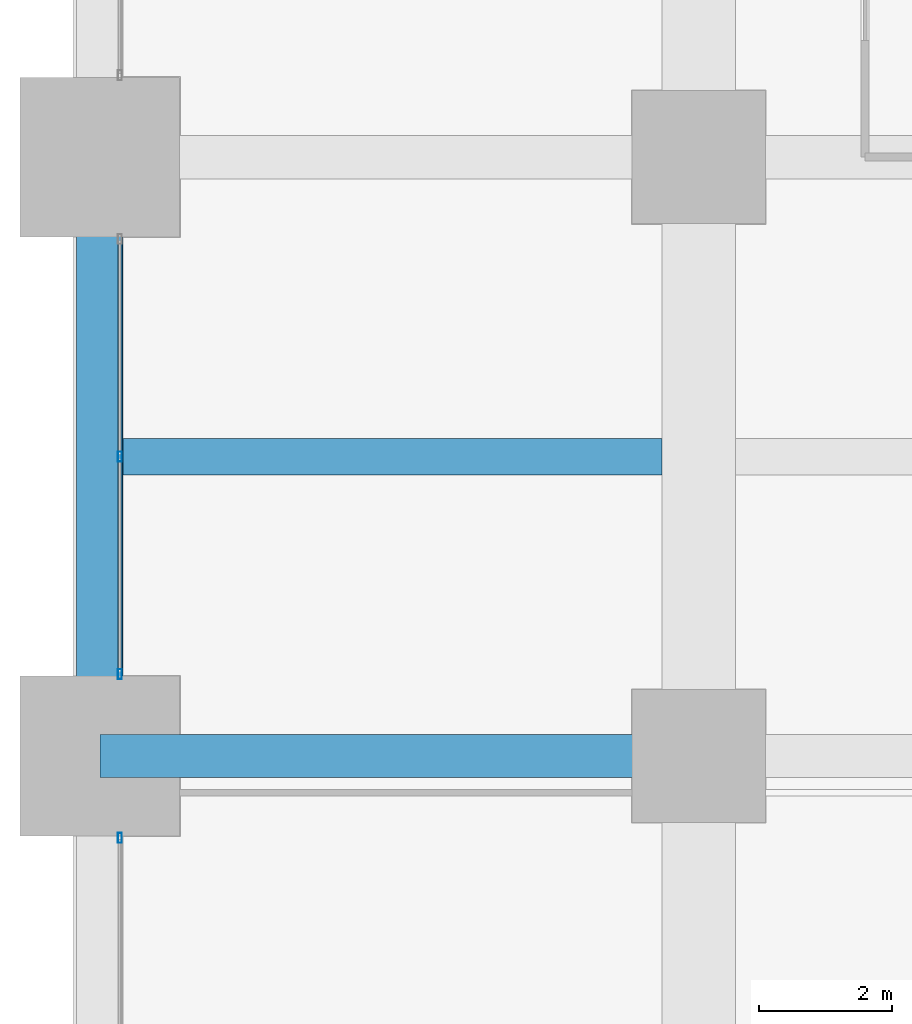
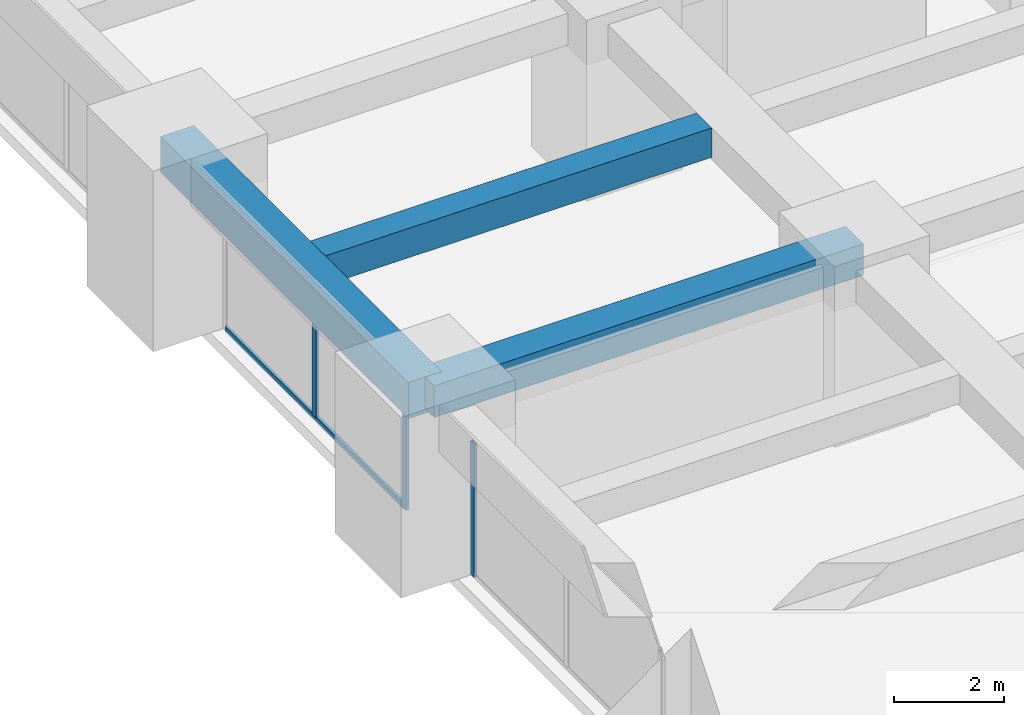
# One storey, part 9 of 39: 4 members, 3 beams, 2 elements without a shape of their own.
"""IFC4 building model written with IfcOpenShell, lengths in metres."""

from ifc_helpers import new_model, si_unit, direction, frame, origin, origin_2d, place, context, subcontext, project, spatial, rectangle, hollow_rectangle, extrude, material, material_profile, profile_set, type_object, element, aggregate, save


model = new_model("IFC4")

# Units and contexts
model_context = context("Model", 3, precision=1e-05, world=origin(), true_north=direction((0.0, 1.0)))
body_context = subcontext(model_context, "Body", "Model", "MODEL_VIEW")
ifc_project = project(units=[si_unit("LENGTHUNIT", "METRE"), si_unit("AREAUNIT", "SQUARE_METRE"), si_unit("VOLUMEUNIT", "CUBIC_METRE"), si_unit("PLANEANGLEUNIT", "RADIAN"), si_unit("MASSUNIT", "GRAM", prefix="KILO")], contexts=[model_context])

# Site, building, storey
site_placement = place(None, origin())
site = spatial("IfcSite", under=ifc_project, at=site_placement, CompositionType="ELEMENT")
building_placement = place(site_placement, origin())
building = spatial("IfcBuilding", under=site, at=building_placement, Name="Zorevar Civic Tower", CompositionType="ELEMENT")
storey_placement = place(building_placement, frame((0.0, 0.0, 117.0)))
storey = spatial("IfcBuildingStorey", under=building, at=storey_placement, Name="L28", CompositionType="ELEMENT", Elevation=117.0)

# Beams
ifc_material_1 = material(Name="Concrete C50/60", Category="concrete")
ifc_material_profile_1 = material_profile(ifc_material_1, rectangle(XDim=0.550048828125, YDim=0.64990234375, at=origin_2d()), Name="RC 550x650")
ifc_profile_set_1 = profile_set([ifc_material_profile_1], Name="Concrete C50/60")
beam_type_1 = type_object("IfcBeamType", Name="Beam RC 550x650", PredefinedType="BEAM", material=ifc_profile_set_1)
beam_1_placement = place(storey_placement, frame((0.35009765625, 22.5, 3.425048828125), z_axis=(1.0, 0.0, 0.0), x_axis=(0.0, 1.0, 0.0)))
element("IfcBeam", 1, at=beam_1_placement, inside=storey, type_object=beam_type_1, Name="Secondary beam L29", PredefinedType="BEAM", context=body_context, shape_type="SweptSolid", body=[
    extrude(rectangle(XDim=0.550048828125, YDim=0.64990234375, at=origin_2d()), origin(), (0.0, 0.0, 1.0), 8.099853515625),
])
ifc_material_2 = material(Name="Concrete C50/60", Category="concrete")
ifc_material_profile_2 = material_profile(ifc_material_2, rectangle(XDim=0.64990234375, YDim=0.699951171875, at=origin_2d()), Name="RC 650x700")
ifc_profile_set_2 = profile_set([ifc_material_profile_2], Name="Concrete C50/60")
beam_type_2 = type_object("IfcBeamType", Name="Beam RC 650x700", PredefinedType="BEAM", material=ifc_profile_set_2)
beam_2_placement = place(storey_placement, frame((0.0, 18.0, 3.39990234375), z_axis=(1.0, 0.0, 0.0), x_axis=(0.0, 1.0, 0.0)))
element("IfcBeam", 2, at=beam_2_placement, inside=storey, type_object=beam_type_2, Name="Girder L29", PredefinedType="BEAM", context=body_context, shape_type="SweptSolid", body=[
    extrude(rectangle(XDim=0.64990234375, YDim=0.699951171875, at=origin_2d()), origin(), (0.0, 0.0, 1.0), 9.0),
])

# Curtain wall, member
ifc_material_3 = material(Name="Dark grey solar-control glass in black aluminium frame", Category="aluminium")
curtain_wall_type = type_object("IfcCurtainWallType", Name="Curtain wall CW3 mid zone", PredefinedType="NOTDEFINED", material=ifc_material_3)
curtain_wall_1_placement = place(storey_placement, origin())
curtain_wall_1 = element("IfcCurtainWall", 3, at=curtain_wall_1_placement, inside=storey, type_object=curtain_wall_type, Name="CW3 L28", PredefinedType="NOTDEFINED")
ifc_material_4 = material(Name="Aluminium, black anodised", Category="aluminium")
ifc_material_profile_3 = material_profile(ifc_material_4, hollow_rectangle(XDim=0.06005859375, YDim=0.14990234375, WallThickness=0.00390625, at=origin_2d()), Name="AL 150x60x4")
ifc_profile_set_3 = profile_set([ifc_material_profile_3], Name="Aluminium, black anodised")
member_type_1 = type_object("IfcMemberType", Name="CW3 mullion AL 150x60x4", PredefinedType="MULLION", material=ifc_profile_set_3)
member_1_placement = place(storey_placement, frame((0.300048828125, 16.77001953125, 0.0), z_axis=(0.0, 0.0, 1.0), x_axis=(-1.0, 0.0, 0.0)))
member_1 = element("IfcMember", 4, at=member_1_placement, type_object=member_type_1, Name="CW3 mullion 3", PredefinedType="MULLION", context=body_context, shape_type="SweptSolid", body=[
    extrude(hollow_rectangle(XDim=0.06005859375, YDim=0.14990234375, WallThickness=0.00390625, at=origin_2d()), origin(), (0.0, 0.0, 1.0), 2.949951171875),
])
aggregate(curtain_wall_1, [member_1])

# Curtain wall, members
curtain_wall_2_placement = place(storey_placement, origin())
curtain_wall_2 = element("IfcCurtainWall", 5, at=curtain_wall_2_placement, inside=storey, type_object=curtain_wall_type, Name="CW3 L28", PredefinedType="NOTDEFINED")
member_2_placement = place(storey_placement, frame((0.300048828125, 19.22998046875, 0.0), z_axis=(0.0, 0.0, 1.0), x_axis=(-1.0, 0.0, 0.0)))
member_2 = element("IfcMember", 6, at=member_2_placement, type_object=member_type_1, Name="CW3 mullion 1", PredefinedType="MULLION", context=body_context, shape_type="SweptSolid", body=[
    extrude(hollow_rectangle(XDim=0.06005859375, YDim=0.14990234375, WallThickness=0.00390625, at=origin_2d()), origin(), (0.0, 0.0, 1.0), 2.949951171875),
])
member_3_placement = place(storey_placement, frame((0.300048828125, 22.5, 0.06005859375), z_axis=(0.0, 0.0, 1.0), x_axis=(-1.0, 0.0, 0.0)))
member_3 = element("IfcMember", 7, at=member_3_placement, type_object=member_type_1, Name="CW3 mullion 2", PredefinedType="MULLION", context=body_context, shape_type="SweptSolid", body=[
    extrude(hollow_rectangle(XDim=0.06005859375, YDim=0.14990234375, WallThickness=0.00390625, at=origin_2d()), origin(), (0.0, 0.0, 1.0), 2.889892578125),
])
ifc_material_5 = material(Name="Aluminium, black anodised", Category="aluminium")
ifc_material_profile_4 = material_profile(ifc_material_5, hollow_rectangle(XDim=0.06005859375, YDim=0.1201171875, WallThickness=0.0029296875, at=origin_2d()), Name="AL 120x60x3")
ifc_profile_set_4 = profile_set([ifc_material_profile_4], Name="Aluminium, black anodised")
member_type_2 = type_object("IfcMemberType", Name="CW3 transom AL 120x60x3", PredefinedType="USERDEFINED", material=ifc_profile_set_4)
member_4_placement = place(storey_placement, frame((0.300048828125, 19.260009765625, 0.030029296875), z_axis=(0.0, 1.0, 0.0), x_axis=(-1.0, 0.0, 0.0)))
member_4 = element("IfcMember", 8, at=member_4_placement, type_object=member_type_2, Name="CW3 sill transom", ObjectType="TRANSOM", PredefinedType="USERDEFINED", context=body_context, shape_type="SweptSolid", body=[
    extrude(hollow_rectangle(XDim=0.06005859375, YDim=0.1201171875, WallThickness=0.0029296875, at=origin_2d()), origin(), (0.0, 0.0, 1.0), 6.47998046875),
])
aggregate(curtain_wall_2, [member_2, member_3, member_4])

# Beam
ifc_material_6 = material(Name="Concrete C50/60", Category="concrete")
ifc_material_profile_5 = material_profile(ifc_material_6, rectangle(XDim=0.699951171875, YDim=0.800048828125, at=origin_2d()), Name="RC 700x800")
ifc_profile_set_5 = profile_set([ifc_material_profile_5], Name="Concrete C50/60")
beam_type_3 = type_object("IfcBeamType", Name="Edge beam RC 700x800", PredefinedType="SPANDREL", material=ifc_profile_set_5)
beam_3_placement = place(storey_placement, frame((0.0, 18.0, 3.35009765625), z_axis=(0.0, 1.0, 0.0), x_axis=(-1.0, 0.0, 0.0)))
element("IfcBeam", 9, at=beam_3_placement, inside=storey, type_object=beam_type_3, Name="Edge beam L29", PredefinedType="SPANDREL", context=body_context, shape_type="SweptSolid", body=[
    extrude(rectangle(XDim=0.699951171875, YDim=0.800048828125, at=origin_2d()), origin(), (0.0, 0.0, 1.0), 9.0),
])

save(model, "model.ifc")
